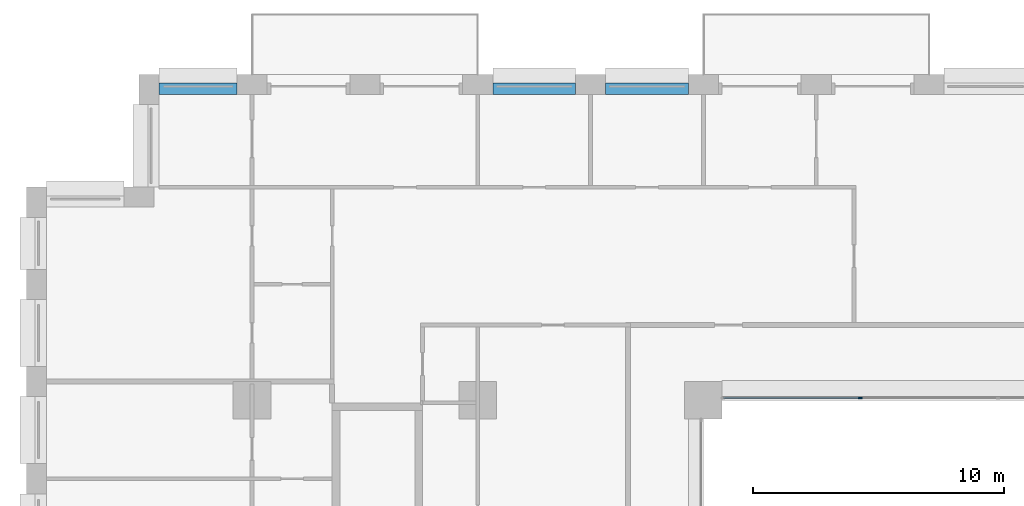
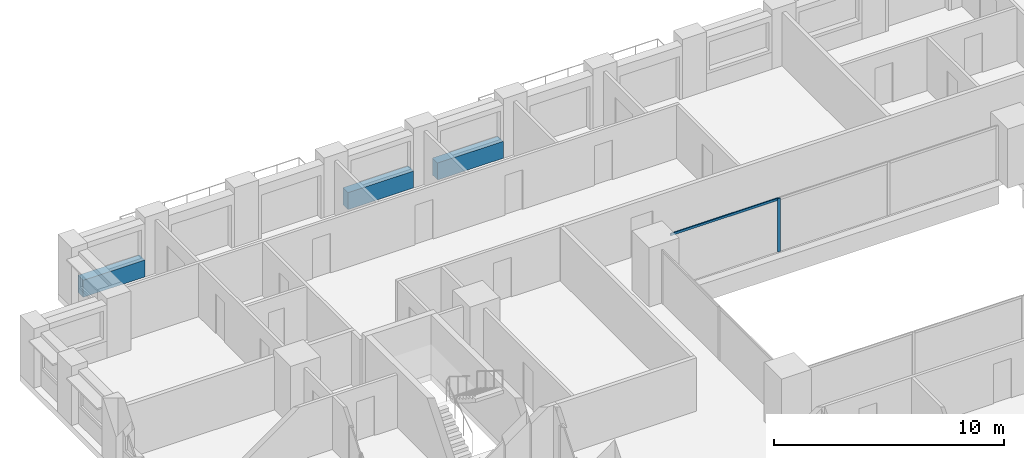
# One storey, part 6 of 20: 3 beams, 2 members, 1 element without a shape of its own.
"""IFC4 building model written with IfcOpenShell, lengths in metres."""

from ifc_helpers import new_model, si_unit, direction, frame, origin, origin_2d, place, context, subcontext, project, spatial, rectangle, extrude, material, layer, layer_set, material_profile, profile_set, type_object, element, aggregate, save


model = new_model("IFC4")

# Units and contexts
model_context = context("Model", 3, precision=1e-05, world=origin(), true_north=direction((0.0, 1.0)))
body_context = subcontext(model_context, "Body", "Model", "MODEL_VIEW")
ifc_project = project(units=[si_unit("LENGTHUNIT", "METRE"), si_unit("AREAUNIT", "SQUARE_METRE"), si_unit("VOLUMEUNIT", "CUBIC_METRE"), si_unit("PLANEANGLEUNIT", "RADIAN"), si_unit("MASSUNIT", "GRAM", prefix="KILO")], contexts=[model_context])

# Site, building, storey
site_placement = place(None, origin())
site = spatial("IfcSite", under=ifc_project, at=site_placement, CompositionType="ELEMENT")
building_placement = place(site_placement, origin())
building = spatial("IfcBuilding", under=site, at=building_placement, Name="Brigalow Station Residences", CompositionType="ELEMENT")
storey_placement = place(building_placement, frame((0.0, 0.0, 38.39990234375)))
storey = spatial("IfcBuildingStorey", under=building, at=storey_placement, Name="L10", CompositionType="ELEMENT", Elevation=38.39990234375)

# Curtain wall, members
ifc_material_1 = material(Name="Aluminium", Category="aluminium")
ifc_layer = layer(ifc_material_1, 0.14990234375)
ifc_layer_set = layer_set([ifc_layer], Name="ATRIUM FIRE-RATED GLAZING CURTAIN WALL")
curtain_wall_type = type_object("IfcCurtainWallType", Name="ATRIUM FIRE-RATED GLAZING CURTAIN WALL", PredefinedType="NOTDEFINED", material=ifc_layer_set)
curtain_wall_placement = place(storey_placement, origin())
curtain_wall = element("IfcCurtainWall", 1, at=curtain_wall_placement, inside=storey, type_object=curtain_wall_type, Name="L10/cw/atrium-N", PredefinedType="NOTDEFINED")
ifc_material_2 = material(Name="Aluminium", Category="aluminium")
ifc_material_profile_1 = material_profile(ifc_material_2, rectangle(XDim=0.06005859375, YDim=0.14990234375, at=origin_2d()), Name="ATRIUM FIRE-RATED GLAZING MULLION 60x150")
ifc_profile_set_1 = profile_set([ifc_material_profile_1], Name="Aluminium")
member_type_1 = type_object("IfcMemberType", Name="ATRIUM FIRE-RATED GLAZING MULLION 60x150", PredefinedType="MULLION", material=ifc_profile_set_1)
member_1_placement = place(storey_placement, frame((33.25, 35.60009765625, 0.0), z_axis=(0.0, 0.0, 1.0), x_axis=(0.0, -1.0, 0.0)))
member_1 = element("IfcMember", 2, at=member_1_placement, type_object=member_type_1, Name="L10/cw/atrium-N/M02", PredefinedType="MULLION", context=body_context, shape_type="SweptSolid", body=[
    extrude(rectangle(XDim=0.06005859375, YDim=0.14990234375, at=origin_2d()), origin(), (0.0, 0.0, 1.0), 2.830078125),
])
ifc_material_3 = material(Name="Aluminium", Category="aluminium")
ifc_material_profile_2 = material_profile(ifc_material_3, rectangle(XDim=0.06005859375, YDim=0.1201171875, at=origin_2d()), Name="ATRIUM FIRE-RATED GLAZING TRANSOM 60x120")
ifc_profile_set_2 = profile_set([ifc_material_profile_2], Name="Aluminium")
member_type_2 = type_object("IfcMemberType", Name="ATRIUM FIRE-RATED GLAZING TRANSOM 60x120", PredefinedType="USERDEFINED", material=ifc_profile_set_2)
member_2_placement = place(storey_placement, frame((33.219970703125, 35.60009765625, 2.800048828125), z_axis=(-1.0, 0.0, 0.0), x_axis=(0.0, -1.0, 0.0)))
member_2 = element("IfcMember", 3, at=member_2_placement, type_object=member_type_2, Name="L10/cw/atrium-N/T02-00", ObjectType="TRANSOM", PredefinedType="USERDEFINED", context=body_context, shape_type="SweptSolid", body=[
    extrude(rectangle(XDim=0.06005859375, YDim=0.1201171875, at=origin_2d()), origin(), (0.0, 0.0, 1.0), 5.409912109375),
])
aggregate(curtain_wall, [member_1, member_2])

# Beams
ifc_material_4 = material(Name="Concrete C65", Category="concrete")
ifc_material_profile_3 = material_profile(ifc_material_4, rectangle(XDim=0.449951171875, YDim=0.89990234375, at=origin_2d()), Name="RC450x900")
ifc_profile_set_3 = profile_set([ifc_material_profile_3], Name="Concrete C65")
beam_type = type_object("IfcBeamType", Name="SPANDREL BEAM 450x900 C65", PredefinedType="SPANDREL", material=ifc_profile_set_3)
for number, where, z_axis, x_axis, name in (
    (4, (26.39990234375, 47.925048828125, 0.4501953125), (-1.0, 0.0, 0.0), (0.0, -1.0, 0.0), "L10/spandrel/W-L10-35"),
    (5, (21.89990234375, 47.925048828125, 0.4501953125), (-1.0, 0.0, 0.0), (0.0, -1.0, 0.0), "L10/spandrel/W-L10-36"),
):
    element("IfcBeam", number, at=place(storey_placement, frame(where, z_axis=z_axis, x_axis=x_axis)), inside=storey, type_object=beam_type, Name=name, PredefinedType="SPANDREL", context=body_context, shape_type="SweptSolid", body=[
        extrude(rectangle(XDim=0.449951171875, YDim=0.89990234375, at=origin_2d()), origin(), (0.0, 0.0, 1.0), 3.2998046875),
    ])
beam_placement = place(storey_placement, frame((8.39990234375, 47.925048828125, 0.4501953125), z_axis=(-1.0, 0.0, 0.0), x_axis=(0.0, -1.0, 0.0)))
element("IfcBeam", 6, at=beam_placement, inside=storey, type_object=beam_type, Name="L10/spandrel/W-L10-39", PredefinedType="SPANDREL", context=body_context, shape_type="SweptSolid", body=[
    extrude(rectangle(XDim=0.449951171875, YDim=0.89990234375, at=origin_2d()), origin(), (0.0, 0.0, 1.0), 3.099853515625),
])

save(model, "model.ifc")
